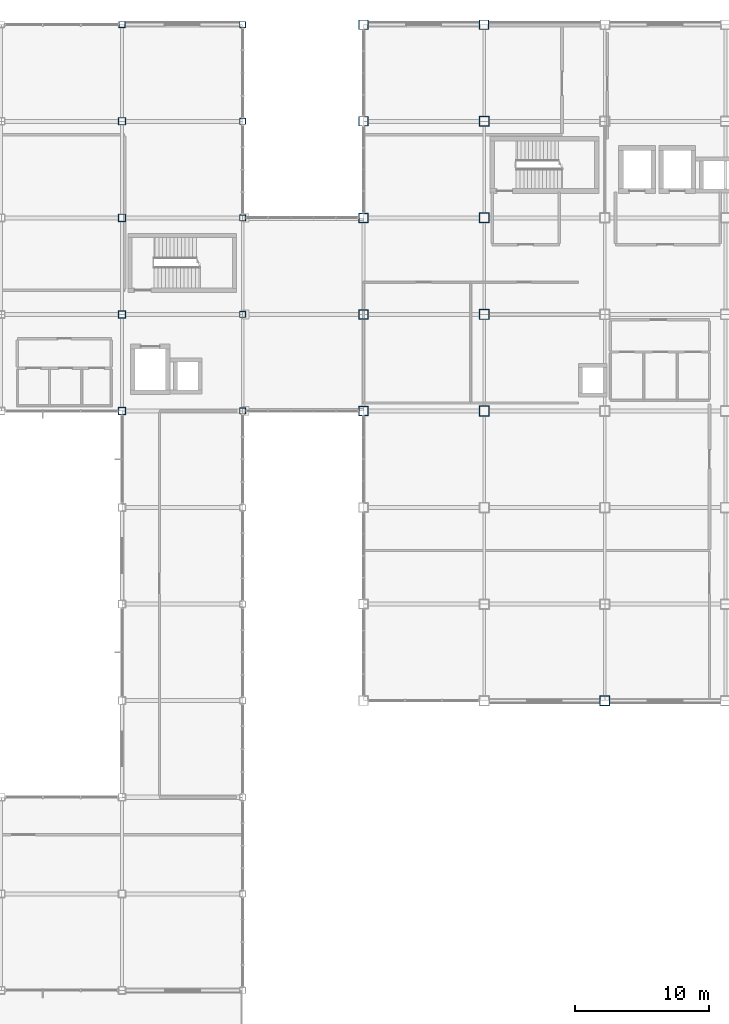
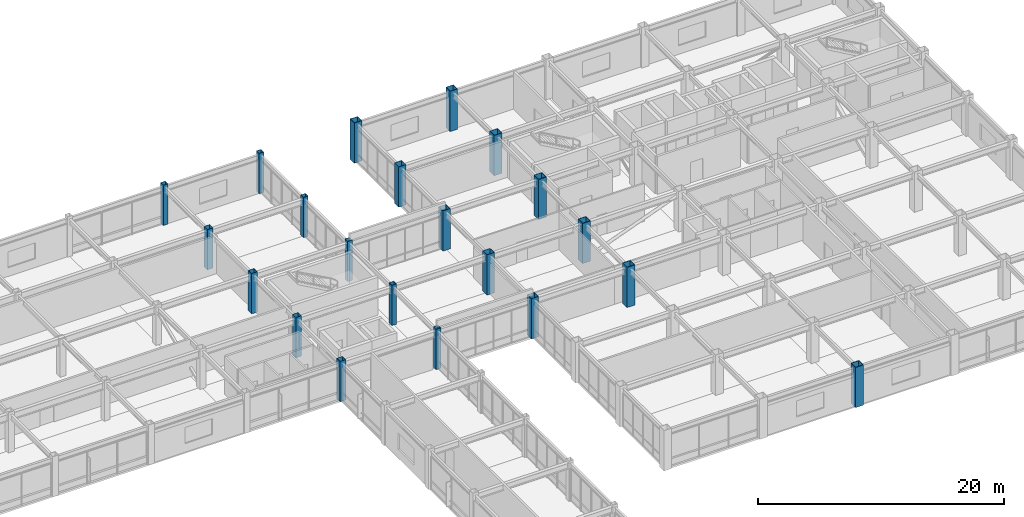
# One storey, part 9 of 122: 21 columns.
"""IFC4 building model written with IfcOpenShell, lengths in metres."""

from ifc_helpers import new_model, si_unit, direction, frame, origin, origin_2d, place, context, subcontext, project, spatial, hollow_rectangle, extrude, material, material_profile, profile_set, type_object, element, save


model = new_model("IFC4")

# Units and contexts
model_context = context("Model", 3, precision=1e-05, world=origin(), true_north=direction((0.0, 1.0)))
body_context = subcontext(model_context, "Body", "Model", "MODEL_VIEW")
ifc_project = project(units=[si_unit("LENGTHUNIT", "METRE"), si_unit("AREAUNIT", "SQUARE_METRE"), si_unit("VOLUMEUNIT", "CUBIC_METRE"), si_unit("PLANEANGLEUNIT", "RADIAN"), si_unit("MASSUNIT", "GRAM", prefix="KILO")], contexts=[model_context])

# Site, building, storey
site_placement = place(None, origin())
site = spatial("IfcSite", under=ifc_project, at=site_placement, CompositionType="ELEMENT")
building_placement = place(site_placement, origin())
building = spatial("IfcBuilding", under=site, at=building_placement, Name="Kazanami Central Library", CompositionType="ELEMENT")
storey_placement = place(building_placement, frame((0.0, 0.0, 4.800048828125)))
storey = spatial("IfcBuildingStorey", under=building, at=storey_placement, Name="L02", CompositionType="ELEMENT", Elevation=4.800048828125)

# Columns
ifc_material = material(Name="Steel BCP325 (325 MPa)", Category="steel")
ifc_material_profile_1 = material_profile(ifc_material, hollow_rectangle(XDim=0.449951171875, YDim=0.449951171875, WallThickness=0.01904296875, at=origin_2d()), Name="BCP-450x450x19")
ifc_profile_set_1 = profile_set([ifc_material_profile_1], Name="Steel BCP325 (325 MPa)")
column_type_1 = type_object("IfcColumnType", Name="COL-C-P2E", PredefinedType="COLUMN", material=ifc_profile_set_1)
for number, where, z_axis, x_axis, name in (
    (1, (99.0, 93.60009765625, 0.0), (0.0, 0.0, 1.0), (1.0, 0.0, 0.0), "Column C-P2E L02 12/O"),
    (2, (108.0, 64.800048828125, 0.0), (0.0, 0.0, 1.0), (1.0, 0.0, 0.0), "Column C-P2E L02 13/K"),
    (3, (108.0, 72.0, 0.0), (0.0, 0.0, 1.0), (1.0, 0.0, 0.0), "Column C-P2E L02 13/L"),
    (4, (108.0, 79.199951171875, 0.0), (0.0, 0.0, 1.0), (1.0, 0.0, 0.0), "Column C-P2E L02 13/M"),
    (5, (108.0, 86.39990234375, 0.0), (0.0, 0.0, 1.0), (1.0, 0.0, 0.0), "Column C-P2E L02 13/N"),
    (6, (108.0, 93.60009765625, 0.0), (0.0, 0.0, 1.0), (1.0, 0.0, 0.0), "Column C-P2E L02 13/O"),
):
    element("IfcColumn", number, at=place(storey_placement, frame(where, z_axis=z_axis, x_axis=x_axis)), inside=storey, type_object=column_type_1, Name=name, PredefinedType="COLUMN", context=body_context, shape_type="SweptSolid", body=[
        extrude(hollow_rectangle(XDim=0.449951171875, YDim=0.449951171875, WallThickness=0.01904296875, at=origin_2d()), origin(), (0.0, 0.0, 1.0), 4.0),
    ])
ifc_material_profile_2 = material_profile(ifc_material, hollow_rectangle(XDim=0.550048828125, YDim=0.550048828125, WallThickness=0.02197265625, at=origin_2d()), Name="BCP-550x550x22")
ifc_profile_set_2 = profile_set([ifc_material_profile_2], Name="Steel BCP325 (325 MPa)")
column_type_2 = type_object("IfcColumnType", Name="COL-C-P2I", PredefinedType="COLUMN", material=ifc_profile_set_2)
for number, where, z_axis, x_axis, name in (
    (7, (99.0, 64.800048828125, 0.0), (0.0, 0.0, 1.0), (1.0, 0.0, 0.0), "Column C-P2I L02 12/K"),
    (8, (99.0, 72.0, 0.0), (0.0, 0.0, 1.0), (1.0, 0.0, 0.0), "Column C-P2I L02 12/L"),
    (9, (99.0, 79.199951171875, 0.0), (0.0, 0.0, 1.0), (1.0, 0.0, 0.0), "Column C-P2I L02 12/M"),
    (10, (99.0, 86.39990234375, 0.0), (0.0, 0.0, 1.0), (1.0, 0.0, 0.0), "Column C-P2I L02 12/N"),
):
    element("IfcColumn", number, at=place(storey_placement, frame(where, z_axis=z_axis, x_axis=x_axis)), inside=storey, type_object=column_type_2, Name=name, PredefinedType="COLUMN", context=body_context, shape_type="SweptSolid", body=[
        extrude(hollow_rectangle(XDim=0.550048828125, YDim=0.550048828125, WallThickness=0.02197265625, at=origin_2d()), origin(), (0.0, 0.0, 1.0), 4.0),
    ])
ifc_material_profile_3 = material_profile(ifc_material, hollow_rectangle(XDim=0.75, YDim=0.75, WallThickness=0.031982421875, at=origin_2d()), Name="BCP-750x750x32")
ifc_profile_set_3 = profile_set([ifc_material_profile_3], Name="Steel BCP325 (325 MPa)")
column_type_3 = type_object("IfcColumnType", Name="COL-C-T1I", PredefinedType="COLUMN", material=ifc_profile_set_3)
for number, where, z_axis, x_axis, name in (
    (11, (126.0, 64.800048828125, 0.0), (0.0, 0.0, 1.0), (1.0, 0.0, 0.0), "Column C-T1I L02 15/K"),
    (12, (126.0, 72.0, 0.0), (0.0, 0.0, 1.0), (1.0, 0.0, 0.0), "Column C-T1I L02 15/L"),
    (13, (126.0, 79.199951171875, 0.0), (0.0, 0.0, 1.0), (1.0, 0.0, 0.0), "Column C-T1I L02 15/M"),
    (14, (126.0, 86.39990234375, 0.0), (0.0, 0.0, 1.0), (1.0, 0.0, 0.0), "Column C-T1I L02 15/N"),
    (15, (135.0, 43.199951171875, 0.0), (0.0, 0.0, 1.0), (1.0, 0.0, 0.0), "Column C-T1I L02 16/G"),
):
    element("IfcColumn", number, at=place(storey_placement, frame(where, z_axis=z_axis, x_axis=x_axis)), inside=storey, type_object=column_type_3, Name=name, PredefinedType="COLUMN", context=body_context, shape_type="SweptSolid", body=[
        extrude(hollow_rectangle(XDim=0.75, YDim=0.75, WallThickness=0.031982421875, at=origin_2d()), origin(), (0.0, 0.0, 1.0), 4.0),
    ])
ifc_material_profile_4 = material_profile(ifc_material, hollow_rectangle(XDim=0.699951171875, YDim=0.699951171875, WallThickness=0.028076171875, at=origin_2d()), Name="BCP-700x700x28")
ifc_profile_set_4 = profile_set([ifc_material_profile_4], Name="Steel BCP325 (325 MPa)")
column_type_4 = type_object("IfcColumnType", Name="COL-C-T1P", PredefinedType="COLUMN", material=ifc_profile_set_4)
for number, where, z_axis, x_axis, name in (
    (16, (117.0, 64.800048828125, 0.0), (0.0, 0.0, 1.0), (1.0, 0.0, 0.0), "Column C-T1P L02 14/K"),
    (17, (117.0, 72.0, 0.0), (0.0, 0.0, 1.0), (1.0, 0.0, 0.0), "Column C-T1P L02 14/L"),
    (18, (117.0, 79.199951171875, 0.0), (0.0, 0.0, 1.0), (1.0, 0.0, 0.0), "Column C-T1P L02 14/M"),
    (19, (117.0, 86.39990234375, 0.0), (0.0, 0.0, 1.0), (1.0, 0.0, 0.0), "Column C-T1P L02 14/N"),
    (20, (117.0, 93.60009765625, 0.0), (0.0, 0.0, 1.0), (1.0, 0.0, 0.0), "Column C-T1P L02 14/O"),
    (21, (126.0, 93.60009765625, 0.0), (0.0, 0.0, 1.0), (1.0, 0.0, 0.0), "Column C-T1P L02 15/O"),
):
    element("IfcColumn", number, at=place(storey_placement, frame(where, z_axis=z_axis, x_axis=x_axis)), inside=storey, type_object=column_type_4, Name=name, PredefinedType="COLUMN", context=body_context, shape_type="SweptSolid", body=[
        extrude(hollow_rectangle(XDim=0.699951171875, YDim=0.699951171875, WallThickness=0.028076171875, at=origin_2d()), origin(), (0.0, 0.0, 1.0), 4.0),
    ])

save(model, "model.ifc")
